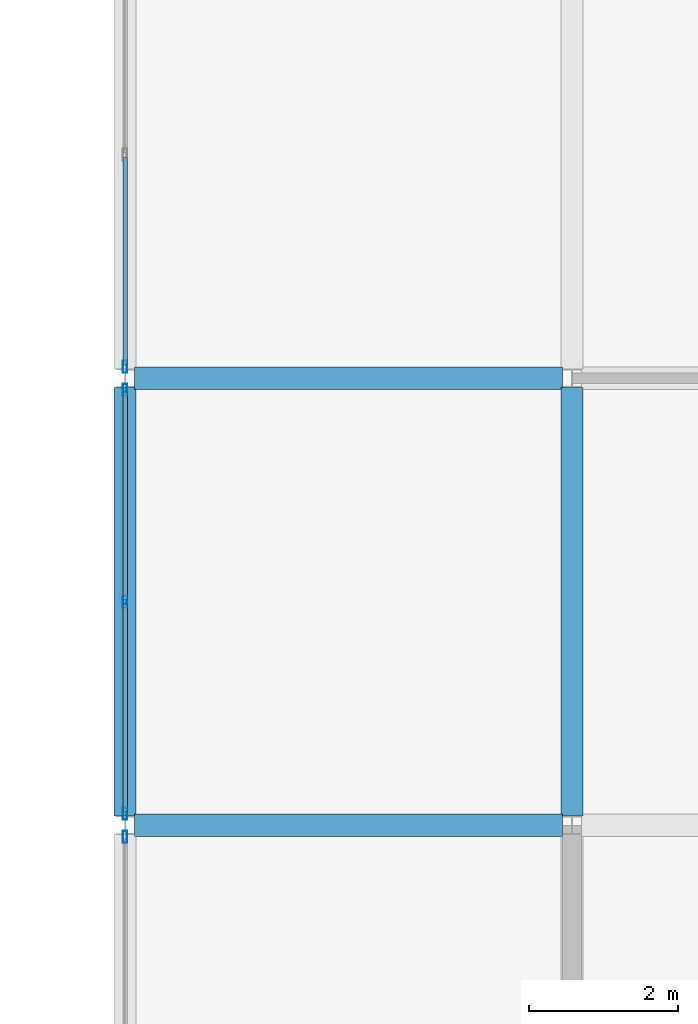
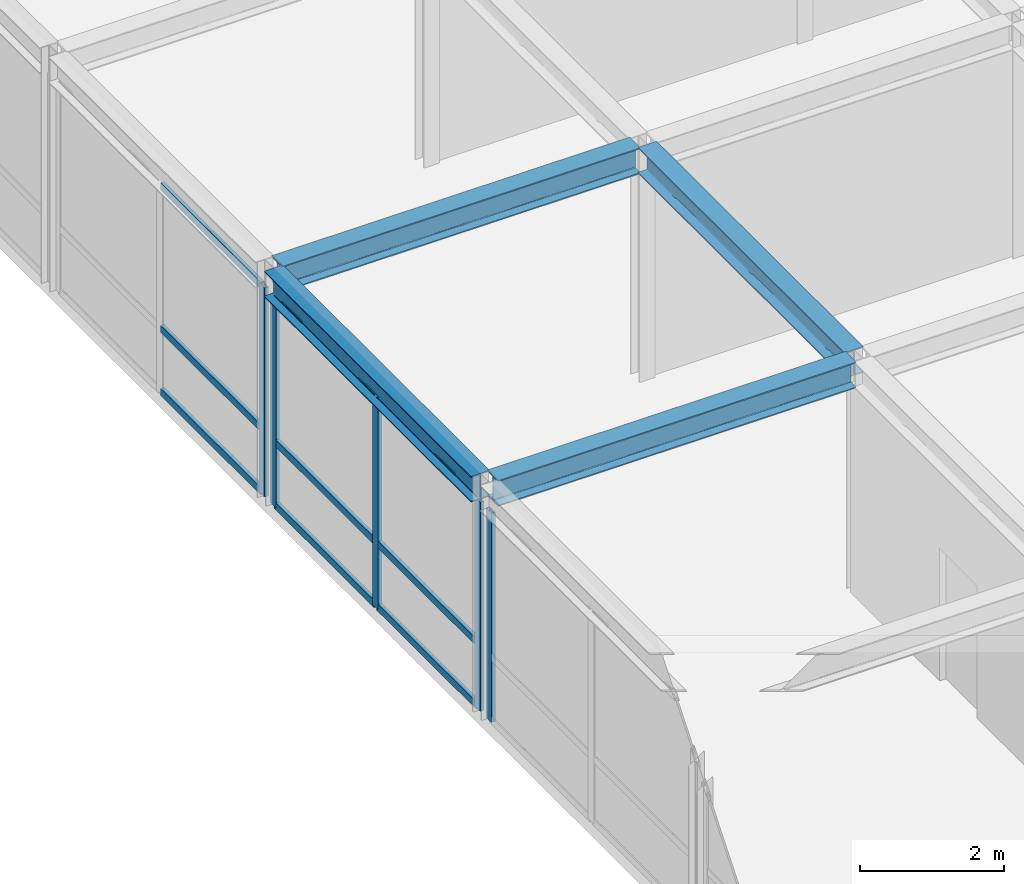
# One storey, part 51 of 111: 14 members, 4 beams, 3 elements without a shape of their own.
"""IFC4 building model written with IfcOpenShell, lengths in metres."""

from ifc_helpers import new_model, si_unit, direction, frame, origin, origin_2d, place, context, subcontext, project, spatial, hollow_rectangle, i_section, extrude, material, layer, layer_set, material_profile, profile_set, type_object, element, aggregate, save


model = new_model("IFC4")

# Units and contexts
model_context = context("Model", 3, precision=1e-05, world=origin(), true_north=direction((0.0, 1.0)))
body_context = subcontext(model_context, "Body", "Model", "MODEL_VIEW")
ifc_project = project(units=[si_unit("LENGTHUNIT", "METRE"), si_unit("AREAUNIT", "SQUARE_METRE"), si_unit("VOLUMEUNIT", "CUBIC_METRE"), si_unit("PLANEANGLEUNIT", "RADIAN"), si_unit("MASSUNIT", "GRAM", prefix="KILO")], contexts=[model_context])

# Site, building, storey
site_placement = place(None, origin())
site = spatial("IfcSite", under=ifc_project, at=site_placement, CompositionType="ELEMENT")
building_placement = place(site_placement, origin())
building = spatial("IfcBuilding", under=site, at=building_placement, Name="Zlatovratsky Civic Hall", CompositionType="ELEMENT")
storey_placement = place(building_placement, frame((0.0, 0.0, 16.5)))
storey = spatial("IfcBuildingStorey", under=building, at=storey_placement, Name="L04", CompositionType="ELEMENT", Elevation=16.5)

# Beams
ifc_material_1 = material(Name="Steel S355", Category="steel")
ifc_material_profile_1 = material_profile(ifc_material_1, i_section(OverallWidth=0.300048828125, OverallDepth=0.43994140625, WebThickness=0.010986328125, FlangeThickness=0.01806640625, FilletRadius=0.02197265625, at=origin_2d()), Name="45Sh1")
ifc_profile_set_1 = profile_set([ifc_material_profile_1], Name="Steel S355")
beam_type = type_object("IfcBeamType", Name="Beam_TowerLow_45Sh1", PredefinedType="BEAM", material=ifc_profile_set_1)
for number, where, z_axis, x_axis, name in (
    (1, (48.125, 48.0, 3.780029296875), (1.0, 0.0, 0.0), (0.0, 1.0, 0.0), "BM-3302"),
    (2, (48.125, 54.0, 3.780029296875), (1.0, 0.0, 0.0), (0.0, 1.0, 0.0), "BM-3312"),
    (3, (48.0, 48.125, 3.780029296875), (0.0, 1.0, 0.0), (-1.0, 0.0, 0.0), "BM-3591"),
    (4, (54.0, 48.125, 3.780029296875), (0.0, 1.0, 0.0), (-1.0, 0.0, 0.0), "BM-3608"),
):
    element("IfcBeam", number, at=place(storey_placement, frame(where, z_axis=z_axis, x_axis=x_axis)), inside=storey, type_object=beam_type, Name=name, PredefinedType="BEAM", context=body_context, shape_type="SweptSolid", body=[
        extrude(i_section(OverallWidth=0.300048828125, OverallDepth=0.43994140625, WebThickness=0.010986328125, FlangeThickness=0.01806640625, FilletRadius=0.02197265625, at=origin_2d()), origin(), (0.0, 0.0, 1.0), 5.75),
    ])

# Curtain wall, member
ifc_material_2 = material(Name="Anodised bronze aluminium", Category="aluminium")
ifc_layer = layer(ifc_material_2, 0.159912109375)
ifc_layer_set = layer_set([ifc_layer], Name="Anodised bronze aluminium")
curtain_wall_type = type_object("IfcCurtainWallType", Name="CurtainWall_Bronze_5750x3550_18", PredefinedType="NOTDEFINED", material=ifc_layer_set)
curtain_wall_1_placement = place(storey_placement, origin())
curtain_wall_1 = element("IfcCurtainWall", 5, at=curtain_wall_1_placement, inside=storey, type_object=curtain_wall_type, Name="CW-107", PredefinedType="NOTDEFINED")
ifc_material_profile_2 = material_profile(ifc_material_2, hollow_rectangle(XDim=0.06005859375, YDim=0.159912109375, WallThickness=0.00390625, at=origin_2d()), Name="ALU 60x160x4")
ifc_profile_set_2 = profile_set([ifc_material_profile_2], Name="Anodised bronze aluminium")
member_type_1 = type_object("IfcMemberType", Name="CW_Mullion_60x160", PredefinedType="MULLION", material=ifc_profile_set_2)
member_1_placement = place(storey_placement, frame((48.0, 47.844970703125, 0.0), z_axis=(0.0, 0.0, 1.0), x_axis=(-1.0, 0.0, 0.0)))
member_1 = element("IfcMember", 6, at=member_1_placement, type_object=member_type_1, Name="CW-18 mullion 3", PredefinedType="MULLION", context=body_context, shape_type="SweptSolid", body=[
    extrude(hollow_rectangle(XDim=0.06005859375, YDim=0.159912109375, WallThickness=0.00390625, at=origin_2d()), origin(), (0.0, 0.0, 1.0), 3.550048828125),
])
aggregate(curtain_wall_1, [member_1])

# Curtain wall, members
curtain_wall_2_placement = place(storey_placement, origin())
curtain_wall_2 = element("IfcCurtainWall", 7, at=curtain_wall_2_placement, inside=storey, type_object=curtain_wall_type, Name="CW-108", PredefinedType="NOTDEFINED")
member_2_placement = place(storey_placement, frame((48.0, 48.155029296875, 0.0), z_axis=(0.0, 0.0, 1.0), x_axis=(-1.0, 0.0, 0.0)))
member_2 = element("IfcMember", 8, at=member_2_placement, type_object=member_type_1, Name="CW-18 mullion 1", PredefinedType="MULLION", context=body_context, shape_type="SweptSolid", body=[
    extrude(hollow_rectangle(XDim=0.06005859375, YDim=0.159912109375, WallThickness=0.00390625, at=origin_2d()), origin(), (0.0, 0.0, 1.0), 3.550048828125),
])
member_3_placement = place(storey_placement, frame((48.0, 51.0, 0.0), z_axis=(0.0, 0.0, 1.0), x_axis=(-1.0, 0.0, 0.0)))
member_3 = element("IfcMember", 9, at=member_3_placement, type_object=member_type_1, Name="CW-18 mullion 2", PredefinedType="MULLION", context=body_context, shape_type="SweptSolid", body=[
    extrude(hollow_rectangle(XDim=0.06005859375, YDim=0.159912109375, WallThickness=0.00390625, at=origin_2d()), origin(), (0.0, 0.0, 1.0), 3.550048828125),
])
member_4_placement = place(storey_placement, frame((48.0, 53.844970703125, 0.0), z_axis=(0.0, 0.0, 1.0), x_axis=(-1.0, 0.0, 0.0)))
member_4 = element("IfcMember", 10, at=member_4_placement, type_object=member_type_1, Name="CW-18 mullion 3", PredefinedType="MULLION", context=body_context, shape_type="SweptSolid", body=[
    extrude(hollow_rectangle(XDim=0.06005859375, YDim=0.159912109375, WallThickness=0.00390625, at=origin_2d()), origin(), (0.0, 0.0, 1.0), 3.550048828125),
])

# Curtain wall, member
curtain_wall_3_placement = place(storey_placement, origin())
curtain_wall_3 = element("IfcCurtainWall", 11, at=curtain_wall_3_placement, inside=storey, type_object=curtain_wall_type, Name="CW-109", PredefinedType="NOTDEFINED")
member_5_placement = place(storey_placement, frame((48.0, 54.155029296875, 0.0), z_axis=(0.0, 0.0, 1.0), x_axis=(-1.0, 0.0, 0.0)))
member_5 = element("IfcMember", 12, at=member_5_placement, type_object=member_type_1, Name="CW-18 mullion 1", PredefinedType="MULLION", context=body_context, shape_type="SweptSolid", body=[
    extrude(hollow_rectangle(XDim=0.06005859375, YDim=0.159912109375, WallThickness=0.00390625, at=origin_2d()), origin(), (0.0, 0.0, 1.0), 3.550048828125),
])

# Member
ifc_material_profile_3 = material_profile(ifc_material_2, hollow_rectangle(XDim=0.06005859375, YDim=0.1201171875, WallThickness=0.00390625, at=origin_2d()), Name="ALU 60x120x4")
ifc_profile_set_3 = profile_set([ifc_material_profile_3], Name="Anodised bronze aluminium")
member_type_2 = type_object("IfcMemberType", Name="CW_Transom_60x120", PredefinedType="USERDEFINED", material=ifc_profile_set_3)
member_6_placement = place(storey_placement, frame((48.0, 48.18505859375, 0.030029296875), z_axis=(0.0, 1.0, 0.0), x_axis=(-1.0, 0.0, 0.0)))
member_6 = element("IfcMember", 13, at=member_6_placement, type_object=member_type_2, Name="CW-18 transom 1.1", ObjectType="TRANSOM", PredefinedType="USERDEFINED", context=body_context, shape_type="SweptSolid", body=[
    extrude(hollow_rectangle(XDim=0.06005859375, YDim=0.1201171875, WallThickness=0.00390625, at=origin_2d()), origin(), (0.0, 0.0, 1.0), 2.784912109375),
])

member_7_placement = place(storey_placement, frame((48.0, 48.18505859375, 1.10009765625), z_axis=(0.0, 1.0, 0.0), x_axis=(-1.0, 0.0, 0.0)))
member_7 = element("IfcMember", 14, at=member_7_placement, type_object=member_type_2, Name="CW-18 transom 1.2", ObjectType="TRANSOM", PredefinedType="USERDEFINED", context=body_context, shape_type="SweptSolid", body=[
    extrude(hollow_rectangle(XDim=0.06005859375, YDim=0.1201171875, WallThickness=0.00390625, at=origin_2d()), origin(), (0.0, 0.0, 1.0), 2.784912109375),
])

member_8_placement = place(storey_placement, frame((48.0, 48.18505859375, 3.52001953125), z_axis=(0.0, 1.0, 0.0), x_axis=(-1.0, 0.0, 0.0)))
member_8 = element("IfcMember", 15, at=member_8_placement, type_object=member_type_2, Name="CW-18 transom 1.3", ObjectType="TRANSOM", PredefinedType="USERDEFINED", context=body_context, shape_type="SweptSolid", body=[
    extrude(hollow_rectangle(XDim=0.06005859375, YDim=0.1201171875, WallThickness=0.00390625, at=origin_2d()), origin(), (0.0, 0.0, 1.0), 2.784912109375),
])

member_9_placement = place(storey_placement, frame((48.0, 51.030029296875, 0.030029296875), z_axis=(0.0, 1.0, 0.0), x_axis=(-1.0, 0.0, 0.0)))
member_9 = element("IfcMember", 16, at=member_9_placement, type_object=member_type_2, Name="CW-18 transom 2.1", ObjectType="TRANSOM", PredefinedType="USERDEFINED", context=body_context, shape_type="SweptSolid", body=[
    extrude(hollow_rectangle(XDim=0.06005859375, YDim=0.1201171875, WallThickness=0.00390625, at=origin_2d()), origin(), (0.0, 0.0, 1.0), 2.784912109375),
])

member_10_placement = place(storey_placement, frame((48.0, 51.030029296875, 1.10009765625), z_axis=(0.0, 1.0, 0.0), x_axis=(-1.0, 0.0, 0.0)))
member_10 = element("IfcMember", 17, at=member_10_placement, type_object=member_type_2, Name="CW-18 transom 2.2", ObjectType="TRANSOM", PredefinedType="USERDEFINED", context=body_context, shape_type="SweptSolid", body=[
    extrude(hollow_rectangle(XDim=0.06005859375, YDim=0.1201171875, WallThickness=0.00390625, at=origin_2d()), origin(), (0.0, 0.0, 1.0), 2.784912109375),
])

member_11_placement = place(storey_placement, frame((48.0, 51.030029296875, 3.52001953125), z_axis=(0.0, 1.0, 0.0), x_axis=(-1.0, 0.0, 0.0)))
member_11 = element("IfcMember", 18, at=member_11_placement, type_object=member_type_2, Name="CW-18 transom 2.3", ObjectType="TRANSOM", PredefinedType="USERDEFINED", context=body_context, shape_type="SweptSolid", body=[
    extrude(hollow_rectangle(XDim=0.06005859375, YDim=0.1201171875, WallThickness=0.00390625, at=origin_2d()), origin(), (0.0, 0.0, 1.0), 2.784912109375),
])

aggregate(curtain_wall_2, [member_2, member_3, member_4, member_6, member_7, member_8, member_9, member_10, member_11])

member_12_placement = place(storey_placement, frame((48.0, 54.18505859375, 0.030029296875), z_axis=(0.0, 1.0, 0.0), x_axis=(-1.0, 0.0, 0.0)))
member_12 = element("IfcMember", 19, at=member_12_placement, type_object=member_type_2, Name="CW-18 transom 1.1", ObjectType="TRANSOM", PredefinedType="USERDEFINED", context=body_context, shape_type="SweptSolid", body=[
    extrude(hollow_rectangle(XDim=0.06005859375, YDim=0.1201171875, WallThickness=0.00390625, at=origin_2d()), origin(), (0.0, 0.0, 1.0), 2.784912109375),
])

member_13_placement = place(storey_placement, frame((48.0, 54.18505859375, 1.10009765625), z_axis=(0.0, 1.0, 0.0), x_axis=(-1.0, 0.0, 0.0)))
member_13 = element("IfcMember", 20, at=member_13_placement, type_object=member_type_2, Name="CW-18 transom 1.2", ObjectType="TRANSOM", PredefinedType="USERDEFINED", context=body_context, shape_type="SweptSolid", body=[
    extrude(hollow_rectangle(XDim=0.06005859375, YDim=0.1201171875, WallThickness=0.00390625, at=origin_2d()), origin(), (0.0, 0.0, 1.0), 2.784912109375),
])

member_14_placement = place(storey_placement, frame((48.0, 54.18505859375, 3.52001953125), z_axis=(0.0, 1.0, 0.0), x_axis=(-1.0, 0.0, 0.0)))
member_14 = element("IfcMember", 21, at=member_14_placement, type_object=member_type_2, Name="CW-18 transom 1.3", ObjectType="TRANSOM", PredefinedType="USERDEFINED", context=body_context, shape_type="SweptSolid", body=[
    extrude(hollow_rectangle(XDim=0.06005859375, YDim=0.1201171875, WallThickness=0.00390625, at=origin_2d()), origin(), (0.0, 0.0, 1.0), 2.784912109375),
])

aggregate(curtain_wall_3, [member_5, member_12, member_13, member_14])

save(model, "model.ifc")
